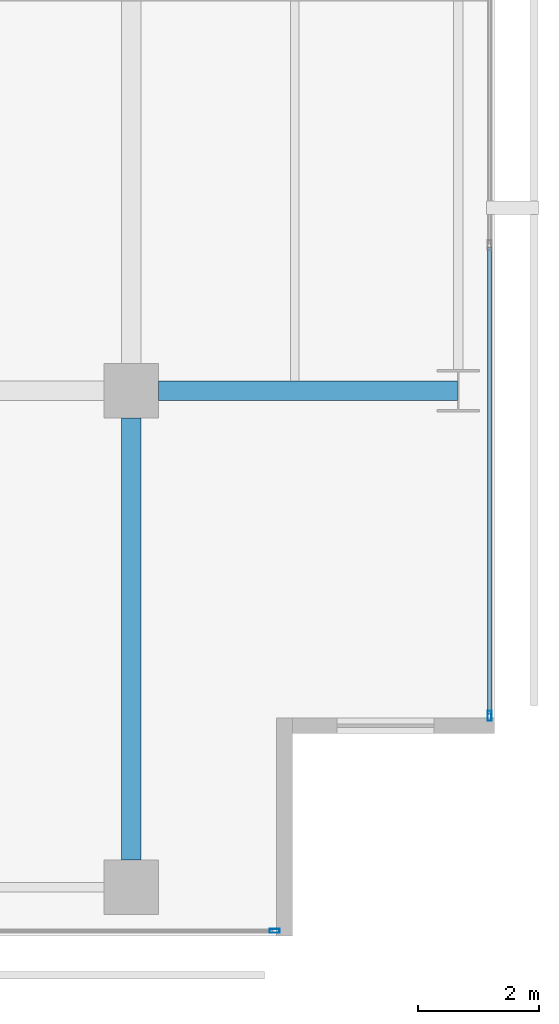
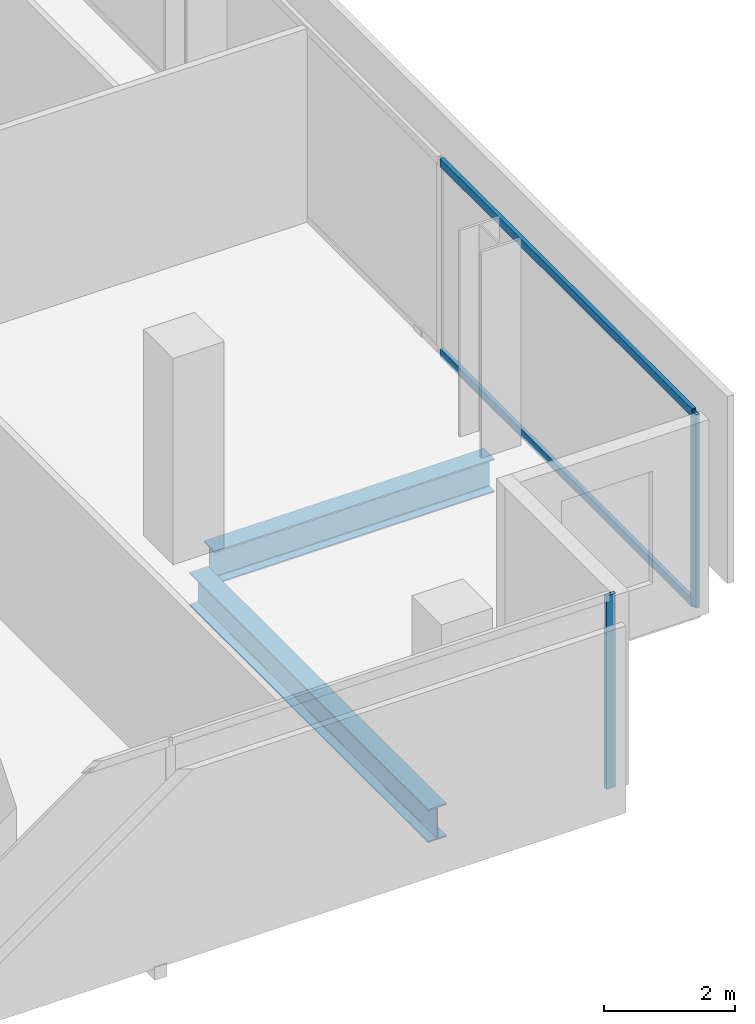
# One storey, part 16 of 39: 4 members, 2 beams, 2 elements without a shape of their own.
"""IFC4 building model written with IfcOpenShell, lengths in metres."""

from ifc_helpers import new_model, si_unit, direction, frame, origin, origin_2d, place, context, subcontext, project, spatial, hollow_rectangle, i_section, extrude, material, layer, layer_set, material_profile, profile_set, type_object, element, aggregate, save


model = new_model("IFC4")

# Units and contexts
model_context = context("Model", 3, precision=1e-05, world=origin(), true_north=direction((0.0, 1.0)))
body_context = subcontext(model_context, "Body", "Model", "MODEL_VIEW")
ifc_project = project(units=[si_unit("LENGTHUNIT", "METRE"), si_unit("AREAUNIT", "SQUARE_METRE"), si_unit("VOLUMEUNIT", "CUBIC_METRE"), si_unit("PLANEANGLEUNIT", "RADIAN"), si_unit("MASSUNIT", "GRAM", prefix="KILO")], contexts=[model_context])

# Site, building, storey
site_placement = place(None, origin())
site = spatial("IfcSite", under=ifc_project, at=site_placement, CompositionType="ELEMENT")
building_placement = place(site_placement, origin())
building = spatial("IfcBuilding", under=site, at=building_placement, Name="Maruvema Waterfront Hotel and Observation Tower", CompositionType="ELEMENT")
storey_placement = place(building_placement, frame((0.0, 0.0, 69.300048828125)))
storey = spatial("IfcBuildingStorey", under=building, at=storey_placement, Name="L16", CompositionType="ELEMENT", Elevation=69.300048828125)

# Curtain wall, members
ifc_material_1 = material(Name="Anodised bronze aluminium and solar-control low-E IGU", Category="aluminium")
ifc_layer = layer(ifc_material_1, 0.159912109375, Name="Zone 1 Bronze Inner Thermal Curtain Wall System CW-02")
ifc_layer_set = layer_set([ifc_layer], Name="Anodised bronze aluminium and solar-control low-E IGU")
curtain_wall_type = type_object("IfcCurtainWallType", Name="Zone 1 Bronze Inner Thermal Curtain Wall System CW-02", PredefinedType="USERDEFINED", material=ifc_layer_set)
curtain_wall_1_placement = place(storey_placement, origin())
curtain_wall_1 = element("IfcCurtainWall", 1, at=curtain_wall_1_placement, inside=storey, type_object=curtain_wall_type, Name="L16 Curtain Wall CW-L16-E", ObjectType="UNITISED CURTAIN WALL", PredefinedType="USERDEFINED")
ifc_material_2 = material(Name="Anodised architectural bronze aluminium", Category="aluminium")
ifc_material_profile_1 = material_profile(ifc_material_2, hollow_rectangle(XDim=0.070068359375, YDim=0.14990234375, WallThickness=0.00390625, at=origin_2d()), Name="ALU-T70x150")
ifc_profile_set_1 = profile_set([ifc_material_profile_1], Name="Anodised architectural bronze aluminium")
member_type_1 = type_object("IfcMemberType", Name="Curtain Wall Horizontal Transom ALU-T70x150", PredefinedType="USERDEFINED", material=ifc_profile_set_1)
member_1_placement = place(storey_placement, frame((64.719970703125, 3.659912109375, 0.030029296875), z_axis=(0.0, 1.0, 0.0), x_axis=(-1.0, 0.0, 0.0)))
member_1 = element("IfcMember", 2, at=member_1_placement, type_object=member_type_1, Name="CW-02 transom 1.1", ObjectType="TRANSOM", PredefinedType="USERDEFINED", context=body_context, shape_type="SweptSolid", body=[
    extrude(hollow_rectangle(XDim=0.070068359375, YDim=0.14990234375, WallThickness=0.00390625, at=origin_2d()), origin(), (0.0, 0.0, 1.0), 7.710205078125),
])
member_2_placement = place(storey_placement, frame((64.719970703125, 3.659912109375, 3.579833984375), z_axis=(0.0, 1.0, 0.0), x_axis=(-1.0, 0.0, 0.0)))
member_2 = element("IfcMember", 3, at=member_2_placement, type_object=member_type_1, Name="CW-02 transom 1.2", ObjectType="TRANSOM", PredefinedType="USERDEFINED", context=body_context, shape_type="SweptSolid", body=[
    extrude(hollow_rectangle(XDim=0.070068359375, YDim=0.14990234375, WallThickness=0.00390625, at=origin_2d()), origin(), (0.0, 0.0, 1.0), 7.710205078125),
])

# Curtain wall, member
curtain_wall_2_placement = place(storey_placement, origin())
curtain_wall_2 = element("IfcCurtainWall", 4, at=curtain_wall_2_placement, inside=storey, type_object=curtain_wall_type, Name="L16 Curtain Wall CW-L16-S", ObjectType="UNITISED CURTAIN WALL", PredefinedType="USERDEFINED")
ifc_material_3 = material(Name="Anodised architectural bronze aluminium", Category="aluminium")
ifc_material_profile_2 = material_profile(ifc_material_3, hollow_rectangle(XDim=0.06494140625, YDim=0.1650390625, WallThickness=0.00390625, at=origin_2d()), Name="ALU-M65x165")
ifc_profile_set_2 = profile_set([ifc_material_profile_2], Name="Anodised architectural bronze aluminium")
member_type_2 = type_object("IfcMemberType", Name="Curtain Wall Primary Mullion ALU-M65x165", PredefinedType="MULLION", material=ifc_profile_set_2)
member_3_placement = place(storey_placement, frame((61.169921875, 0.080078125, 0.0), z_axis=(0.0, 0.0, 1.0), x_axis=(0.0, 1.0, 0.0)))
member_3 = element("IfcMember", 5, at=member_3_placement, type_object=member_type_2, Name="CW-02 mullion 7", PredefinedType="MULLION", context=body_context, shape_type="SweptSolid", body=[
    extrude(hollow_rectangle(XDim=0.06494140625, YDim=0.1650390625, WallThickness=0.00390625, at=origin_2d()), origin(), (0.0, 0.0, 1.0), 3.60986328125),
])
aggregate(curtain_wall_2, [member_3])

# Member
member_4_placement = place(storey_placement, frame((64.719970703125, 3.6298828125, 0.0), z_axis=(0.0, 0.0, 1.0), x_axis=(-1.0, 0.0, 0.0)))
member_4 = element("IfcMember", 6, at=member_4_placement, type_object=member_type_2, Name="CW-02 mullion 1", PredefinedType="MULLION", context=body_context, shape_type="SweptSolid", body=[
    extrude(hollow_rectangle(XDim=0.06494140625, YDim=0.1650390625, WallThickness=0.00390625, at=origin_2d()), origin(), (0.0, 0.0, 1.0), 3.60986328125),
])

aggregate(curtain_wall_1, [member_4, member_1, member_2])

# Beams
ifc_material_4 = material(Name="Steel ASTM A572 Grade 50", Category="steel")
ifc_material_profile_3 = material_profile(ifc_material_4, i_section(OverallWidth=0.326904296875, OverallDepth=0.6220703125, WebThickness=0.015380859375, FlangeThickness=0.0244140625, FilletRadius=0.01806640625, at=origin_2d()), Name="W610x195.0")
ifc_profile_set_3 = profile_set([ifc_material_profile_3], Name="Steel ASTM A572 Grade 50")
beam_type = type_object("IfcBeamType", Name="Primary Floor Girder W610x195.0", PredefinedType="BEAM", material=ifc_profile_set_3)
beam_1_placement = place(storey_placement, frame((59.25, 9.0, -0.551025390625), z_axis=(1.0, 0.0, 0.0), x_axis=(0.0, 1.0, 0.0)))
element("IfcBeam", 7, at=beam_1_placement, inside=storey, type_object=beam_type, Name="L16 Floor Girder EW-12", PredefinedType="BEAM", context=body_context, shape_type="SweptSolid", body=[
    extrude(i_section(OverallWidth=0.326904296875, OverallDepth=0.6220703125, WebThickness=0.015380859375, FlangeThickness=0.0244140625, FilletRadius=0.01806640625, at=origin_2d()), origin(), (0.0, 0.0, 1.0), 4.93603515625),
])
beam_2_placement = place(storey_placement, frame((58.800048828125, 1.25, -0.551025390625), z_axis=(0.0, 1.0, 0.0), x_axis=(-1.0, 0.0, 0.0)))
element("IfcBeam", 8, at=beam_2_placement, inside=storey, type_object=beam_type, Name="L16 Floor Girder NS-27", PredefinedType="BEAM", context=body_context, shape_type="SweptSolid", body=[
    extrude(i_section(OverallWidth=0.326904296875, OverallDepth=0.6220703125, WebThickness=0.015380859375, FlangeThickness=0.0244140625, FilletRadius=0.01806640625, at=origin_2d()), origin(), (0.0, 0.0, 1.0), 7.300048828125),
])

save(model, "model.ifc")
